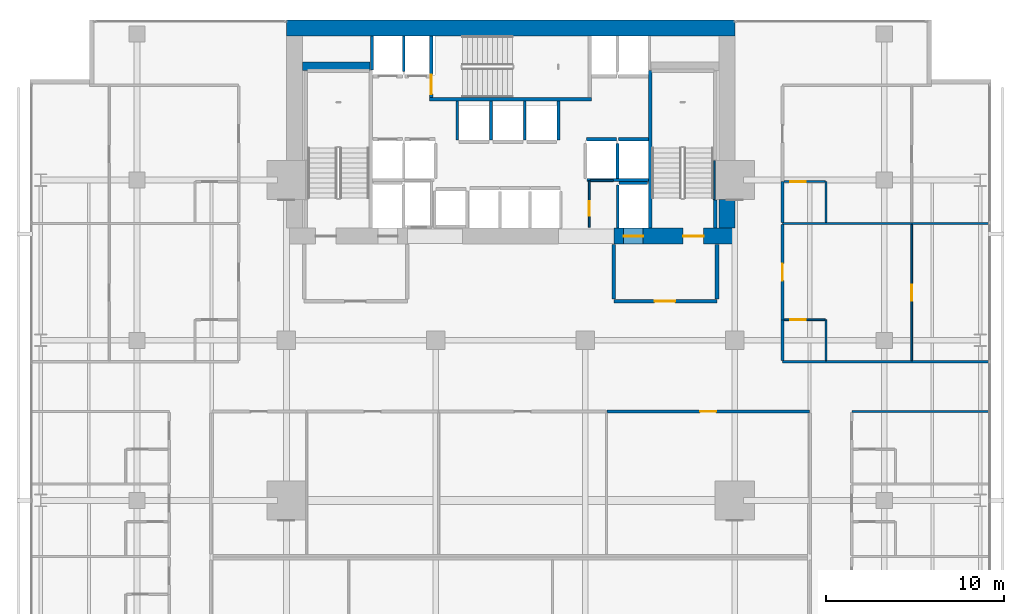
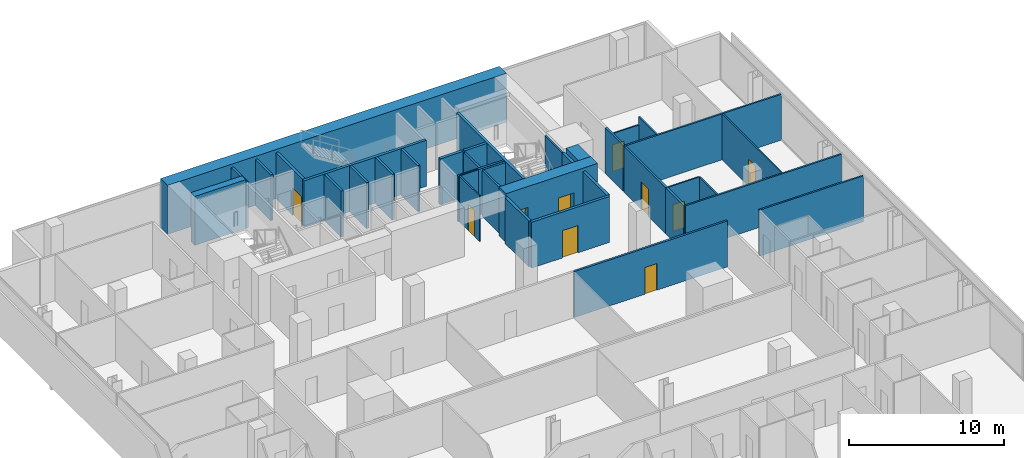
# One storey, part 37 of 40: 38 walls, 10 doors, 10 openings.
"""IFC4 building model written with IfcOpenShell, lengths in metres."""

from ifc_helpers import new_model, si_unit, direction, frame, frame_2d, origin, place, context, subcontext, project, spatial, rectangle, extrude, material, layer, layer_set, type_object, element, fill, save


model = new_model("IFC4")

# Units and contexts
model_context = context("Model", 3, precision=1e-05, world=origin(), true_north=direction((0.0, 1.0)))
body_context = subcontext(model_context, "Body", "Model", "MODEL_VIEW")
ifc_project = project(units=[si_unit("LENGTHUNIT", "METRE"), si_unit("AREAUNIT", "SQUARE_METRE"), si_unit("VOLUMEUNIT", "CUBIC_METRE"), si_unit("PLANEANGLEUNIT", "RADIAN"), si_unit("MASSUNIT", "GRAM", prefix="KILO")], contexts=[model_context])

# Site, building, storey
site_placement = place(None, origin())
site = spatial("IfcSite", under=ifc_project, at=site_placement, CompositionType="ELEMENT")
building_placement = place(site_placement, origin())
building = spatial("IfcBuilding", under=site, at=building_placement, Name="Maruvema Waterfront Hotel and Observation Tower", CompositionType="ELEMENT")
storey_placement = place(building_placement, frame((0.0, 0.0, 57.75)))
storey = spatial("IfcBuildingStorey", under=building, at=storey_placement, Name="L13", CompositionType="ELEMENT", Elevation=57.75)

# Wall, opening, door
ifc_material_1 = material(Name="Twin-stud acoustic gypsum drywall", Category="gypsum")
ifc_layer_1 = layer(ifc_material_1, 0.14990234375, Name="Acoustic Corridor and Suite Demising Wall 150 mm")
ifc_layer_set_1 = layer_set([ifc_layer_1], Name="Twin-stud acoustic gypsum drywall")
wall_type_1 = type_object("IfcWallType", Name="Acoustic Corridor and Suite Demising Wall 150 mm", PredefinedType="PARTITIONING", material=ifc_layer_set_1)
wall_1_placement = place(storey_placement, frame((43.221923828125, 32.0, 0.0), z_axis=(0.0, 0.0, 1.0), x_axis=(1.0, 0.0, 0.0)))
wall_1 = element("IfcWall", 1, at=wall_1_placement, inside=storey, type_object=wall_type_1, Name="L13 L13-INTN Front 4 021", PredefinedType="PARTITIONING", context=body_context, shape_type="SweptSolid", body=[
    extrude(rectangle(XDim=11.3681640625, YDim=0.14990234375, at=frame_2d((5.68408203125, 0.0))), origin(), (0.0, 0.0, 1.0), 3.610107421875),
])
opening_1_placement = place(wall_1_placement, frame((5.23388671875, 0.0, 0.0)))
opening_1 = element("IfcOpeningElement", 2, at=opening_1_placement, cuts=wall_1, Name="Opening DR-090", PredefinedType="OPENING", context=body_context, shape_type="SweptSolid", body=[
    extrude(rectangle(XDim=0.89990234375, YDim=2.10009765625, at=frame_2d((0.449951171875, 1.050048828125))), frame((0.0, 0.0849609375, 0.0), z_axis=(0.0, -1.0, 0.0), x_axis=(1.0, 0.0, 0.0)), (0.0, 0.0, 1.0), 0.169921875),
])
ifc_material_2 = material(Name="Solid-core lacquered timber leaf", Category="wood")
door_type_1 = type_object("IfcDoorType", Name="Accessible Toilet and Room Door 900x2100 mm", OperationType="NOTDEFINED", PredefinedType="DOOR", material=ifc_material_2)
door_1_placement = place(opening_1_placement, origin())
door_1 = element("IfcDoor", 3, at=door_1_placement, inside=storey, type_object=door_type_1, Name="L13 Tea Kitchenette Door", OperationType="SINGLE_SWING_RIGHT", OverallHeight=2.10009765625, OverallWidth=0.89990234375, PredefinedType="DOOR", context=body_context, shape_type="SweptSolid", body=[
    extrude(rectangle(XDim=0.89990234375, YDim=2.10009765625, at=frame_2d((0.449951171875, 1.050048828125))), frame((0.0, 0.02490234375, 0.0), z_axis=(0.0, -1.0, 0.0), x_axis=(1.0, 0.0, 0.0)), (0.0, 0.0, 1.0), 0.050048828125),
])
fill(opening_1, door_1)

# Wall
wall_2_placement = place(storey_placement, frame((53.080078125, 34.860107421875, 0.0), z_axis=(0.0, 0.0, 1.0), x_axis=(0.0, 1.0, 0.0)))
element("IfcWall", 4, at=wall_2_placement, inside=storey, type_object=wall_type_1, Name="L13 Bath L13-NE1 Wall 123", PredefinedType="PARTITIONING", context=body_context, shape_type="SweptSolid", body=[
    extrude(rectangle(XDim=2.289794921875, YDim=0.14990234375, at=frame_2d((1.14501953125, 0.0))), origin(), (0.0, 0.0, 1.0), 3.610107421875),
])

# Wall, opening, door
wall_3_placement = place(storey_placement, frame((53.080078125, 37.14990234375, 0.0), z_axis=(0.0, 0.0, 1.0), x_axis=(0.0, 1.0, 0.0)))
wall_3 = element("IfcWall", 5, at=wall_3_placement, inside=storey, type_object=wall_type_1, Name="L13 Room L13-NE1 Corridor Wall 124", PredefinedType="PARTITIONING", context=body_context, shape_type="SweptSolid", body=[
    extrude(rectangle(XDim=5.35888671875, YDim=0.14990234375, at=frame_2d((2.679443359375, 0.0))), origin(), (0.0, 0.0, 1.0), 3.610107421875),
])
opening_2_placement = place(wall_3_placement, frame((2.204345703125, 0.0, 0.0)))
opening_2 = element("IfcOpeningElement", 6, at=opening_2_placement, cuts=wall_3, Name="Opening DR-095", PredefinedType="OPENING", context=body_context, shape_type="SweptSolid", body=[
    extrude(rectangle(XDim=0.949951171875, YDim=2.14990234375, at=frame_2d((0.47509765625, 1.074951171875))), frame((0.0, 0.0849609375, 0.0), z_axis=(0.0, -1.0, 0.0), x_axis=(1.0, 0.0, 0.0)), (0.0, 0.0, 1.0), 0.169921875),
])
ifc_material_3 = material(Name="Acoustic solid-core hardwood timber leaf", Category="wood")
door_type_2 = type_object("IfcDoorType", Name="Guestroom Entrance Fire Door 950x2150 mm", OperationType="NOTDEFINED", PredefinedType="DOOR", material=ifc_material_3)
door_2_placement = place(opening_2_placement, frame((0.949951171875, 0.0, 0.0), z_axis=(0.0, 0.0, 1.0), x_axis=(-1.0, 0.0, 0.0)))
door_2 = element("IfcDoor", 7, at=door_2_placement, inside=storey, type_object=door_type_2, Name="L13 Room L13-NE1 Entrance Door", OperationType="SINGLE_SWING_RIGHT", OverallHeight=2.14990234375, OverallWidth=0.949951171875, PredefinedType="DOOR", context=body_context, shape_type="SweptSolid", body=[
    extrude(rectangle(XDim=0.949951171875, YDim=2.14990234375, at=frame_2d((0.47509765625, 1.074951171875))), frame((0.0, 0.02490234375, 0.0), z_axis=(0.0, -1.0, 0.0), x_axis=(1.0, 0.0, 0.0)), (0.0, 0.0, 1.0), 0.050048828125),
])
fill(opening_2, door_2)

# Walls
wall_4_placement = place(storey_placement, frame((53.080078125, 42.628662109375, 0.0), z_axis=(0.0, 0.0, 1.0), x_axis=(0.0, 1.0, 0.0)))
element("IfcWall", 8, at=wall_4_placement, inside=storey, type_object=wall_type_1, Name="L13 Bath L13-NE2 Wall 135", PredefinedType="PARTITIONING", context=body_context, shape_type="SweptSolid", body=[
    extrude(rectangle(XDim=2.2900390625, YDim=0.14990234375, at=frame_2d((1.14501953125, 0.0))), origin(), (0.0, 0.0, 1.0), 3.610107421875),
])
ifc_material_4 = material(Name="Precast concrete C45/55", Category="concrete")
ifc_layer_2 = layer(ifc_material_4, 0.199951171875, Name="Core Shaft and Stairwell Enclosure Wall 200 mm")
ifc_layer_set_2 = layer_set([ifc_layer_2], Name="Precast concrete C45/55")
wall_type_2 = type_object("IfcWallType", Name="Core Shaft and Stairwell Enclosure Wall 200 mm", PredefinedType="SOLIDWALL", material=ifc_layer_set_2)
wall_5_placement = place(storey_placement, frame((33.25, 49.550048828125, 0.0), z_axis=(0.0, 0.0, 1.0), x_axis=(1.0, 0.0, 0.0)))
element("IfcWall", 9, at=wall_5_placement, inside=storey, type_object=wall_type_2, Name="L13 Stairwell ST-02 Shaft Wall", PredefinedType="SOLIDWALL", context=body_context, shape_type="SweptSolid", body=[
    extrude(rectangle(XDim=9.10009765625, YDim=0.199951171875, at=frame_2d((4.550048828125, 0.0))), origin(), (0.0, 0.0, 1.0), 3.610107421875),
])

# Wall, opening, door
wall_6_placement = place(storey_placement, frame((33.35009765625, 49.64990234375, 0.0), z_axis=(0.0, 0.0, 1.0), x_axis=(0.0, 1.0, 0.0)))
wall_6 = element("IfcWall", 10, at=wall_6_placement, inside=storey, type_object=wall_type_2, Name="L13 Stairwell ST-02 Shaft Wall", PredefinedType="SOLIDWALL", context=body_context, shape_type="SweptSolid", body=[
    extrude(rectangle(XDim=3.4501953125, YDim=0.199951171875, at=frame_2d((1.72509765625, 0.0))), origin(), (0.0, 0.0, 1.0), 3.610107421875),
])
opening_3_placement = place(wall_6_placement, frame((0.179931640625, 0.0, 0.0)))
opening_3 = element("IfcOpeningElement", 11, at=opening_3_placement, cuts=wall_6, Name="Opening SD-02", PredefinedType="OPENING", context=body_context, shape_type="SweptSolid", body=[
    extrude(rectangle(XDim=1.10009765625, YDim=2.14990234375, at=frame_2d((0.550048828125, 1.074951171875))), frame((0.0, 0.10986328125, 0.0), z_axis=(0.0, -1.0, 0.0), x_axis=(1.0, 0.0, 0.0)), (0.0, 0.0, 1.0), 0.219970703125),
])
ifc_material_5 = material(Name="Fire-rated galvanised steel leaf", Category="steel")
door_type_3 = type_object("IfcDoorType", Name="Central Exit Stair Fire Door 1100x2150 mm", OperationType="NOTDEFINED", PredefinedType="DOOR", material=ifc_material_5)
door_3_placement = place(opening_3_placement, frame((1.10009765625, 0.0, 0.0), z_axis=(0.0, 0.0, 1.0), x_axis=(-1.0, 0.0, 0.0)))
door_3 = element("IfcDoor", 12, at=door_3_placement, inside=storey, type_object=door_type_3, Name="L13 Exit Stair ST-02 Fire Door", OperationType="SINGLE_SWING_LEFT", OverallHeight=2.14990234375, OverallWidth=1.10009765625, PredefinedType="DOOR", context=body_context, shape_type="SweptSolid", body=[
    extrude(rectangle(XDim=1.10009765625, YDim=2.14990234375, at=frame_2d((0.550048828125, 1.074951171875))), frame((0.0, 0.02490234375, 0.0), z_axis=(0.0, -1.0, 0.0), x_axis=(1.0, 0.0, 0.0)), (0.0, 0.0, 1.0), 0.050048828125),
])
fill(opening_3, door_3)

# Walls
wall_7_placement = place(storey_placement, frame((45.64990234375, 42.300048828125, 0.0), z_axis=(0.0, 0.0, 1.0), x_axis=(0.0, 1.0, 0.0)))
element("IfcWall", 13, at=wall_7_placement, inside=storey, type_object=wall_type_2, Name="L13 Stairwell ST-03 West Shaft Wall", PredefinedType="SOLIDWALL", context=body_context, shape_type="SweptSolid", body=[
    extrude(rectangle(XDim=8.849853515625, YDim=0.199951171875, at=frame_2d((4.4248046875, 0.0))), origin(), (0.0, 0.0, 1.0), 3.610107421875),
])
wall_8_placement = place(storey_placement, frame((49.300048828125, 42.300048828125, 0.0), z_axis=(0.0, 0.0, 1.0), x_axis=(0.0, 1.0, 0.0)))
element("IfcWall", 14, at=wall_8_placement, inside=storey, type_object=wall_type_2, Name="L13 Stairwell ST-03 Shaft Lining Wall", PredefinedType="SOLIDWALL", context=body_context, shape_type="SweptSolid", body=[
    extrude(rectangle(XDim=1.579833984375, YDim=0.199951171875, at=frame_2d((0.7900390625, 0.0))), origin(), (0.0, 0.0, 1.0), 3.610107421875),
])
for number, where, z_axis, x_axis, name in (
    (15, (42.06005859375, 47.300048828125, 0.0), (0.0, 0.0, 1.0), (1.0, 0.0, 0.0), "L13 Lift LF-05 Hoistway Front Wall"),
    (16, (43.860107421875, 47.300048828125, 0.0), (0.0, 0.0, 1.0), (1.0, 0.0, 0.0), "L13 Lift LF-06 Hoistway Front Wall"),
):
    element("IfcWall", number, at=place(storey_placement, frame(where, z_axis=z_axis, x_axis=x_axis)), inside=storey, type_object=wall_type_2, Name=name, PredefinedType="SOLIDWALL", context=body_context, shape_type="SweptSolid", body=[
        extrude(rectangle(XDim=1.679931640625, YDim=0.199951171875, at=frame_2d((0.83984375, 0.0))), origin(), (0.0, 0.0, 1.0), 3.610107421875),
    ])
ifc_material_6 = material(Name="Concrete C70/85", Category="concrete")
ifc_layer_3 = layer(ifc_material_6, 0.5, Name="Core Shear Wall 500 mm")
ifc_layer_set_3 = layer_set([ifc_layer_3], Name="Concrete C70/85")
wall_type_3 = type_object("IfcWallType", Name="Core Shear Wall 500 mm", PredefinedType="SHEAR", material=ifc_layer_set_3)
wall_9_placement = place(storey_placement, frame((26.10009765625, 51.39990234375, 0.0), z_axis=(0.0, 0.0, 1.0), x_axis=(1.0, 0.0, 0.0)))
element("IfcWall", 17, at=wall_9_placement, inside=storey, type_object=wall_type_3, Name="L13 Internal Core Shear Wall NW 500 mm", PredefinedType="SHEAR", context=body_context, shape_type="SweptSolid", body=[
    extrude(rectangle(XDim=3.7998046875, YDim=0.5, at=frame_2d((1.89990234375, 0.0))), origin(), (0.0, 0.0, 1.0), 3.85009765625),
])
ifc_material_7 = material(Name="Concrete C80/95", Category="concrete")
ifc_layer_4 = layer(ifc_material_7, 0.89990234375, Name="Core Shear Wall 900 mm")
ifc_layer_set_4 = layer_set([ifc_layer_4], Name="Concrete C80/95")
wall_type_4 = type_object("IfcWallType", Name="Core Shear Wall 900 mm", PredefinedType="SHEAR", material=ifc_layer_set_4)
wall_10_placement = place(storey_placement, frame((25.199951171875, 53.550048828125, 0.0), z_axis=(0.0, 0.0, 1.0), x_axis=(1.0, 0.0, 0.0)))
element("IfcWall", 18, at=wall_10_placement, inside=storey, type_object=wall_type_4, Name="L13 North Core Shear Wall", PredefinedType="SHEAR", context=body_context, shape_type="SweptSolid", body=[
    extrude(rectangle(XDim=25.199951171875, YDim=0.89990234375, at=frame_2d((12.60009765625, 0.0))), origin(), (0.0, 0.0, 1.0), 3.85009765625),
])

# Wall, openings, doors
wall_11_placement = place(storey_placement, frame((43.60009765625, 41.85009765625, 0.0), z_axis=(0.0, 0.0, 1.0), x_axis=(1.0, 0.0, 0.0)))
wall_11 = element("IfcWall", 19, at=wall_11_placement, inside=storey, type_object=wall_type_4, Name="L13 South-East Core Shear Wall", PredefinedType="SHEAR", context=body_context, shape_type="SweptSolid", body=[
    extrude(rectangle(XDim=6.7998046875, YDim=0.89990234375, at=frame_2d((3.39990234375, 0.0))), origin(), (0.0, 0.0, 1.0), 3.85009765625),
])
opening_4_placement = place(wall_11_placement, frame((3.89990234375, 0.0, 0.0)))
opening_4 = element("IfcOpeningElement", 20, at=opening_4_placement, cuts=wall_11, Name="Opening SD-01", PredefinedType="OPENING", context=body_context, shape_type="SweptSolid", body=[
    extrude(rectangle(XDim=1.14990234375, YDim=2.14990234375, at=frame_2d((0.574951171875, 1.074951171875))), frame((0.0, 0.4599609375, 0.0), z_axis=(0.0, -1.0, 0.0), x_axis=(1.0, 0.0, 0.0)), (0.0, 0.0, 1.0), 0.919921875),
])
opening_5_placement = place(wall_11_placement, frame((0.550048828125, 0.0, 0.0)))
opening_5 = element("IfcOpeningElement", 21, at=opening_5_placement, cuts=wall_11, Name="Opening LD-03", PredefinedType="OPENING", context=body_context, shape_type="SweptSolid", body=[
    extrude(rectangle(XDim=1.10009765625, YDim=2.199951171875, at=frame_2d((0.550048828125, 1.10009765625))), frame((0.0, 0.4599609375, 0.0), z_axis=(0.0, -1.0, 0.0), x_axis=(1.0, 0.0, 0.0)), (0.0, 0.0, 1.0), 0.919921875),
])
ifc_material_8 = material(Name="Fire-rated galvanised steel leaf", Category="steel")
door_type_4 = type_object("IfcDoorType", Name="Exit Stair Fire Door 1150x2150 mm", OperationType="NOTDEFINED", PredefinedType="DOOR", material=ifc_material_8)
door_4_placement = place(opening_4_placement, origin())
door_4 = element("IfcDoor", 22, at=door_4_placement, inside=storey, type_object=door_type_4, Name="L13 Exit Stair ST-03 Fire Door", OperationType="SINGLE_SWING_RIGHT", OverallHeight=2.14990234375, OverallWidth=1.14990234375, PredefinedType="DOOR", context=body_context, shape_type="SweptSolid", body=[
    extrude(rectangle(XDim=1.14990234375, YDim=2.14990234375, at=frame_2d((0.574951171875, 1.074951171875))), frame((0.0, 0.02490234375, 0.0), z_axis=(0.0, -1.0, 0.0), x_axis=(1.0, 0.0, 0.0)), (0.0, 0.0, 1.0), 0.050048828125),
])
fill(opening_4, door_4)
ifc_material_9 = material(Name="Brushed stainless steel Grade 316", Category="steel")
door_type_5 = type_object("IfcDoorType", Name="Firefighting Lift Sliding Landing Door 1100x2200 mm", OperationType="SLIDING_TO_LEFT", PredefinedType="DOOR", material=ifc_material_9)
door_5_placement = place(opening_5_placement, frame((1.10009765625, 0.0, 0.0), z_axis=(0.0, 0.0, 1.0), x_axis=(-1.0, 0.0, 0.0)))
door_5 = element("IfcDoor", 23, at=door_5_placement, inside=storey, type_object=door_type_5, Name="L13 Firefighting Lift FL-02 Landing Door", OperationType="SLIDING_TO_LEFT", OverallHeight=2.199951171875, OverallWidth=1.10009765625, PredefinedType="DOOR", context=body_context, shape_type="SweptSolid", body=[
    extrude(rectangle(XDim=1.10009765625, YDim=2.199951171875, at=frame_2d((0.550048828125, 1.10009765625))), frame((0.0, 0.02490234375, 0.0), z_axis=(0.0, -1.0, 0.0), x_axis=(1.0, 0.0, 0.0)), (0.0, 0.0, 1.0), 0.050048828125),
])
fill(opening_5, door_5)

# Wall
wall_12_placement = place(storey_placement, frame((49.949951171875, 42.300048828125, 0.0), z_axis=(0.0, 0.0, 1.0), x_axis=(0.0, 1.0, 0.0)))
element("IfcWall", 24, at=wall_12_placement, inside=storey, type_object=wall_type_4, Name="L13 East-South Core Shear Wall", PredefinedType="SHEAR", context=body_context, shape_type="SweptSolid", body=[
    extrude(rectangle(XDim=1.599853515625, YDim=0.89990234375, at=frame_2d((0.7998046875, 0.0))), origin(), (0.0, 0.0, 1.0), 3.85009765625),
])

# Wall, opening, door
ifc_material_10 = material(Name="Moisture-resistant cement-board drywall", Category="gypsum")
ifc_layer_5 = layer(ifc_material_10, 0.10009765625, Name="En-Suite Moisture-Resistant Partition 100 mm")
ifc_layer_set_5 = layer_set([ifc_layer_5], Name="Moisture-resistant cement-board drywall")
wall_type_5 = type_object("IfcWallType", Name="En-Suite Moisture-Resistant Partition 100 mm", PredefinedType="PARTITIONING", material=ifc_layer_set_5)
wall_13_placement = place(storey_placement, frame((42.219970703125, 42.35009765625, 0.0), z_axis=(0.0, 0.0, 1.0), x_axis=(0.0, 1.0, 0.0)))
wall_13 = element("IfcWall", 25, at=wall_13_placement, inside=storey, type_object=wall_type_5, Name="L13 Core Closet K1 West 010", PredefinedType="PARTITIONING", context=body_context, shape_type="SweptSolid", body=[
    extrude(rectangle(XDim=2.60986328125, YDim=0.10009765625, at=frame_2d((1.304931640625, 0.0))), origin(), (0.0, 0.0, 1.0), 3.610107421875),
])
opening_6_placement = place(wall_13_placement, frame((0.64990234375, 0.0, 0.0)))
opening_6 = element("IfcOpeningElement", 26, at=opening_6_placement, cuts=wall_13, Name="Opening DR-080", PredefinedType="OPENING", context=body_context, shape_type="SweptSolid", body=[
    extrude(rectangle(XDim=0.800048828125, YDim=2.050048828125, at=frame_2d((0.39990234375, 1.02490234375))), frame((0.0, 0.06005859375, 0.0), z_axis=(0.0, -1.0, 0.0), x_axis=(1.0, 0.0, 0.0)), (0.0, 0.0, 1.0), 0.1201171875),
])
ifc_material_11 = material(Name="Powder-coated steel access leaf", Category="steel")
door_type_6 = type_object("IfcDoorType", Name="Riser and Service Cupboard Door 800x2050 mm", OperationType="NOTDEFINED", PredefinedType="DOOR", material=ifc_material_11)
door_6_placement = place(opening_6_placement, frame((0.800048828125, 0.0, 0.0), z_axis=(0.0, 0.0, 1.0), x_axis=(-1.0, 0.0, 0.0)))
door_6 = element("IfcDoor", 27, at=door_6_placement, inside=storey, type_object=door_type_6, Name="L13 Core Cleaning Store Door", OperationType="SINGLE_SWING_RIGHT", OverallHeight=2.050048828125, OverallWidth=0.800048828125, PredefinedType="DOOR", context=body_context, shape_type="SweptSolid", body=[
    extrude(rectangle(XDim=0.800048828125, YDim=2.050048828125, at=frame_2d((0.39990234375, 1.02490234375))), frame((0.0, 0.02490234375, 0.0), z_axis=(0.0, -1.0, 0.0), x_axis=(1.0, 0.0, 0.0)), (0.0, 0.0, 1.0), 0.050048828125),
])
fill(opening_6, door_6)

# Walls
wall_14_placement = place(storey_placement, frame((42.280029296875, 44.9599609375, 0.0), z_axis=(0.0, 0.0, 1.0), x_axis=(1.0, 0.0, 0.0)))
element("IfcWall", 28, at=wall_14_placement, inside=storey, type_object=wall_type_5, Name="L13 Core Closet K1 North 011", PredefinedType="PARTITIONING", context=body_context, shape_type="SweptSolid", body=[
    extrude(rectangle(XDim=1.300048828125, YDim=0.10009765625, at=frame_2d((0.64990234375, 0.0))), origin(), (0.0, 0.0, 1.0), 3.610107421875),
])
wall_15_placement = place(storey_placement, frame((55.530029296875, 34.860107421875, 0.0), z_axis=(0.0, 0.0, 1.0), x_axis=(0.0, 1.0, 0.0)))
element("IfcWall", 29, at=wall_15_placement, inside=storey, type_object=wall_type_5, Name="L13 En-Suite L13-NE1 E 125", PredefinedType="PARTITIONING", context=body_context, shape_type="SweptSolid", body=[
    extrude(rectangle(XDim=2.289794921875, YDim=0.10009765625, at=frame_2d((1.14501953125, 0.0))), origin(), (0.0, 0.0, 1.0), 3.610107421875),
])

# Wall, opening, door
wall_16_placement = place(storey_placement, frame((53.179931640625, 37.14990234375, 0.0), z_axis=(0.0, 0.0, 1.0), x_axis=(1.0, 0.0, 0.0)))
wall_16 = element("IfcWall", 30, at=wall_16_placement, inside=storey, type_object=wall_type_5, Name="L13 En-Suite L13-NE1 N 126", PredefinedType="PARTITIONING", context=body_context, shape_type="SweptSolid", body=[
    extrude(rectangle(XDim=2.300048828125, YDim=0.10009765625, at=frame_2d((1.14990234375, 0.0))), origin(), (0.0, 0.0, 1.0), 3.610107421875),
])
opening_7_placement = place(wall_16_placement, frame((0.35009765625, 0.0, 0.0)))
opening_7 = element("IfcOpeningElement", 31, at=opening_7_placement, cuts=wall_16, Name="Opening DR-085", PredefinedType="OPENING", context=body_context, shape_type="SweptSolid", body=[
    extrude(rectangle(XDim=0.85009765625, YDim=2.10009765625, at=frame_2d((0.425048828125, 1.050048828125))), frame((0.0, 0.06005859375, 0.0), z_axis=(0.0, -1.0, 0.0), x_axis=(1.0, 0.0, 0.0)), (0.0, 0.0, 1.0), 0.1201171875),
])
ifc_material_12 = material(Name="Moisture-resistant solid timber leaf", Category="wood")
door_type_7 = type_object("IfcDoorType", Name="En-Suite Bathroom Door 850x2100 mm", OperationType="NOTDEFINED", PredefinedType="DOOR", material=ifc_material_12)
door_7_placement = place(opening_7_placement, origin())
door_7 = element("IfcDoor", 32, at=door_7_placement, inside=storey, type_object=door_type_7, Name="L13 En-Suite L13-NE1 Door", OperationType="SINGLE_SWING_LEFT", OverallHeight=2.10009765625, OverallWidth=0.85009765625, PredefinedType="DOOR", context=body_context, shape_type="SweptSolid", body=[
    extrude(rectangle(XDim=0.85009765625, YDim=2.10009765625, at=frame_2d((0.425048828125, 1.050048828125))), frame((0.0, 0.02490234375, 0.0), z_axis=(0.0, -1.0, 0.0), x_axis=(1.0, 0.0, 0.0)), (0.0, 0.0, 1.0), 0.050048828125),
])
fill(opening_7, door_7)

wall_17_placement = place(storey_placement, frame((60.350341796875, 34.860107421875, 0.0), z_axis=(0.0, 0.0, 1.0), x_axis=(0.0, 1.0, 0.0)))
wall_17 = element("IfcWall", 33, at=wall_17_placement, inside=storey, type_object=wall_type_5, Name="L13 Suite L13-NE1 Split 127", PredefinedType="PARTITIONING", context=body_context, shape_type="SweptSolid", body=[
    extrude(rectangle(XDim=7.648681640625, YDim=0.10009765625, at=frame_2d((3.82421875, 0.0))), origin(), (0.0, 0.0, 1.0), 3.610107421875),
])
opening_8_placement = place(wall_17_placement, frame((3.374267578125, 0.0, 0.0)))
opening_8 = element("IfcOpeningElement", 34, at=opening_8_placement, cuts=wall_17, Name="Opening DR-090", PredefinedType="OPENING", context=body_context, shape_type="SweptSolid", body=[
    extrude(rectangle(XDim=0.89990234375, YDim=2.10009765625, at=frame_2d((0.449951171875, 1.050048828125))), frame((0.0, 0.06005859375, 0.0), z_axis=(0.0, -1.0, 0.0), x_axis=(1.0, 0.0, 0.0)), (0.0, 0.0, 1.0), 0.1201171875),
])
door_8_placement = place(opening_8_placement, frame((0.89990234375, 0.0, 0.0), z_axis=(0.0, 0.0, 1.0), x_axis=(-1.0, 0.0, 0.0)))
door_8 = element("IfcDoor", 35, at=door_8_placement, inside=storey, type_object=door_type_1, Name="L13 Suite L13-NE1 Bedroom Door", OperationType="SINGLE_SWING_LEFT", OverallHeight=2.10009765625, OverallWidth=0.89990234375, PredefinedType="DOOR", context=body_context, shape_type="SweptSolid", body=[
    extrude(rectangle(XDim=0.89990234375, YDim=2.10009765625, at=frame_2d((0.449951171875, 1.050048828125))), frame((0.0, 0.02490234375, 0.0), z_axis=(0.0, -1.0, 0.0), x_axis=(1.0, 0.0, 0.0)), (0.0, 0.0, 1.0), 0.050048828125),
])
fill(opening_8, door_8)

# Wall
wall_18_placement = place(storey_placement, frame((55.530029296875, 42.628662109375, 0.0), z_axis=(0.0, 0.0, 1.0), x_axis=(0.0, 1.0, 0.0)))
element("IfcWall", 36, at=wall_18_placement, inside=storey, type_object=wall_type_5, Name="L13 En-Suite L13-NE2 E 137", PredefinedType="PARTITIONING", context=body_context, shape_type="SweptSolid", body=[
    extrude(rectangle(XDim=2.2900390625, YDim=0.10009765625, at=frame_2d((1.14501953125, 0.0))), origin(), (0.0, 0.0, 1.0), 3.610107421875),
])

# Wall, opening, door
wall_19_placement = place(storey_placement, frame((53.179931640625, 44.918701171875, 0.0), z_axis=(0.0, 0.0, 1.0), x_axis=(1.0, 0.0, 0.0)))
wall_19 = element("IfcWall", 37, at=wall_19_placement, inside=storey, type_object=wall_type_5, Name="L13 En-Suite L13-NE2 N 138", PredefinedType="PARTITIONING", context=body_context, shape_type="SweptSolid", body=[
    extrude(rectangle(XDim=2.300048828125, YDim=0.10009765625, at=frame_2d((1.14990234375, 0.0))), origin(), (0.0, 0.0, 1.0), 2.988037109375),
])
opening_9_placement = place(wall_19_placement, frame((0.35009765625, 0.0, 0.0)))
opening_9 = element("IfcOpeningElement", 38, at=opening_9_placement, cuts=wall_19, Name="Opening DR-085", PredefinedType="OPENING", context=body_context, shape_type="SweptSolid", body=[
    extrude(rectangle(XDim=0.85009765625, YDim=2.10009765625, at=frame_2d((0.425048828125, 1.050048828125))), frame((0.0, 0.06005859375, 0.0), z_axis=(0.0, -1.0, 0.0), x_axis=(1.0, 0.0, 0.0)), (0.0, 0.0, 1.0), 0.1201171875),
])
door_9_placement = place(opening_9_placement, origin())
door_9 = element("IfcDoor", 39, at=door_9_placement, inside=storey, type_object=door_type_7, Name="L13 En-Suite L13-NE2 Door", OperationType="SINGLE_SWING_LEFT", OverallHeight=2.10009765625, OverallWidth=0.85009765625, PredefinedType="DOOR", context=body_context, shape_type="SweptSolid", body=[
    extrude(rectangle(XDim=0.85009765625, YDim=2.10009765625, at=frame_2d((0.425048828125, 1.050048828125))), frame((0.0, 0.02490234375, 0.0), z_axis=(0.0, -1.0, 0.0), x_axis=(1.0, 0.0, 0.0)), (0.0, 0.0, 1.0), 0.050048828125),
])
fill(opening_9, door_9)

ifc_material_13 = material(Name="Autoclaved cellular concrete blockwork", Category="masonry")
ifc_layer_6 = layer(ifc_material_13, 0.199951171875, Name="Fire Compartment Masonry Wall 200 mm")
ifc_layer_set_6 = layer_set([ifc_layer_6], Name="Autoclaved cellular concrete blockwork")
wall_type_6 = type_object("IfcWallType", Name="Fire Compartment Masonry Wall 200 mm", PredefinedType="PARTITIONING", material=ifc_layer_set_6)
wall_20_placement = place(storey_placement, frame((43.60009765625, 38.199951171875, 0.0), z_axis=(0.0, 0.0, 1.0), x_axis=(1.0, 0.0, 0.0)))
wall_20 = element("IfcWall", 40, at=wall_20_placement, inside=storey, type_object=wall_type_6, Name="L13 FFL East South Wall 004", PredefinedType="PARTITIONING", context=body_context, shape_type="SweptSolid", body=[
    extrude(rectangle(XDim=5.7998046875, YDim=0.199951171875, at=frame_2d((2.89990234375, 0.0))), origin(), (0.0, 0.0, 1.0), 3.610107421875),
])
opening_10_placement = place(wall_20_placement, frame((2.300048828125, 0.0, 0.0)))
opening_10 = element("IfcOpeningElement", 41, at=opening_10_placement, cuts=wall_20, Name="Opening FD-115", PredefinedType="OPENING", context=body_context, shape_type="SweptSolid", body=[
    extrude(rectangle(XDim=1.14990234375, YDim=2.14990234375, at=frame_2d((0.574951171875, 1.074951171875))), frame((0.0, 0.10986328125, 0.0), z_axis=(0.0, -1.0, 0.0), x_axis=(1.0, 0.0, 0.0)), (0.0, 0.0, 1.0), 0.219970703125),
])
ifc_material_14 = material(Name="Fire-rated galvanised steel and vision glass", Category="steel")
door_type_8 = type_object("IfcDoorType", Name="Firefighting Lobby Fire Door 1150x2150 mm", OperationType="NOTDEFINED", PredefinedType="DOOR", material=ifc_material_14)
door_10_placement = place(opening_10_placement, frame((1.14990234375, 0.0, 0.0), z_axis=(0.0, 0.0, 1.0), x_axis=(-1.0, 0.0, 0.0)))
door_10 = element("IfcDoor", 42, at=door_10_placement, inside=storey, type_object=door_type_8, Name="L13 Firefighting Lobby East Door", OperationType="SINGLE_SWING_RIGHT", OverallHeight=2.14990234375, OverallWidth=1.14990234375, PredefinedType="DOOR", context=body_context, shape_type="SweptSolid", body=[
    extrude(rectangle(XDim=1.14990234375, YDim=2.14990234375, at=frame_2d((0.574951171875, 1.074951171875))), frame((0.0, 0.02490234375, 0.0), z_axis=(0.0, -1.0, 0.0), x_axis=(1.0, 0.0, 0.0)), (0.0, 0.0, 1.0), 0.050048828125),
])
fill(opening_10, door_10)

# Walls
for number, where, z_axis, x_axis, name in (
    (43, (43.60009765625, 38.31005859375, 0.0), (0.0, 0.0, 1.0), (0.0, 1.0, 0.0), "L13 FFL East West Wall 005"),
    (44, (49.39990234375, 38.31005859375, 0.0), (0.0, 0.0, 1.0), (0.0, 1.0, 0.0), "L13 FFL East East Wall 006"),
):
    element("IfcWall", number, at=place(storey_placement, frame(where, z_axis=z_axis, x_axis=x_axis)), inside=storey, type_object=wall_type_6, Name=name, PredefinedType="PARTITIONING", context=body_context, shape_type="SweptSolid", body=[
        extrude(rectangle(XDim=3.06982421875, YDim=0.199951171875, at=frame_2d((1.534912109375, 0.0))), origin(), (0.0, 0.0, 1.0), 3.610107421875),
    ])
ifc_material_15 = material(Name="Acoustic gypsum plasterboard drywall", Category="gypsum")
ifc_layer_7 = layer(ifc_material_15, 0.125, Name="Guestroom Acoustic Demising Wall 125 mm")
ifc_layer_set_7 = layer_set([ifc_layer_7], Name="Acoustic gypsum plasterboard drywall")
wall_type_7 = type_object("IfcWallType", Name="Guestroom Acoustic Demising Wall 125 mm", PredefinedType="PARTITIONING", material=ifc_layer_set_7)
wall_21_placement = place(storey_placement, frame((56.97998046875, 32.0, 0.0), z_axis=(0.0, 0.0, 1.0), x_axis=(1.0, 0.0, 0.0)))
element("IfcWall", 45, at=wall_21_placement, inside=storey, type_object=wall_type_7, Name="L13 E Top End 075", PredefinedType="PARTITIONING", context=body_context, shape_type="SweptSolid", body=[
    extrude(rectangle(XDim=7.719970703125, YDim=0.125, at=frame_2d((3.85986328125, 0.0))), origin(), (0.0, 0.0, 1.0), 3.610107421875),
])
for number, where, z_axis, x_axis, name in (
    (46, (53.080078125, 34.800048828125, 0.0), (0.0, 0.0, 1.0), (1.0, 0.0, 0.0), "L13 NE Bot End 115"),
    (47, (53.080078125, 42.568603515625, 0.0), (0.0, 0.0, 1.0), (1.0, 0.0, 0.0), "L13 NE Demising 2 129"),
):
    element("IfcWall", number, at=place(storey_placement, frame(where, z_axis=z_axis, x_axis=x_axis)), inside=storey, type_object=wall_type_7, Name=name, PredefinedType="PARTITIONING", context=body_context, shape_type="SweptSolid", body=[
        extrude(rectangle(XDim=11.619873046875, YDim=0.125, at=frame_2d((5.81005859375, 0.0))), origin(), (0.0, 0.0, 1.0), 3.610107421875),
    ])
ifc_material_16 = material(Name="Precast concrete C45/55", Category="concrete")
ifc_layer_8 = layer(ifc_material_16, 0.159912109375, Name="Lift Hoistway Divider Wall 160 mm")
ifc_layer_set_8 = layer_set([ifc_layer_8], Name="Precast concrete C45/55")
wall_type_8 = type_object("IfcWallType", Name="Lift Hoistway Divider Wall 160 mm", PredefinedType="SOLIDWALL", material=ifc_layer_set_8)
wall_22_placement = place(storey_placement, frame((43.89990234375, 44.830078125, 0.0), z_axis=(0.0, 0.0, 1.0), x_axis=(1.0, 0.0, 0.0)))
element("IfcWall", 48, at=wall_22_placement, inside=storey, type_object=wall_type_8, Name="L13 Lift FL-02 Rear Hoistway Wall", PredefinedType="SOLIDWALL", context=body_context, shape_type="SweptSolid", body=[
    extrude(rectangle(XDim=1.60009765625, YDim=0.159912109375, at=frame_2d((0.800048828125, 0.0))), origin(), (0.0, 0.0, 1.0), 3.610107421875),
])
wall_23_placement = place(storey_placement, frame((43.820068359375, 42.300048828125, 0.0), z_axis=(0.0, 0.0, 1.0), x_axis=(0.0, 1.0, 0.0)))
element("IfcWall", 49, at=wall_23_placement, inside=storey, type_object=wall_type_8, Name="L13 Lift FL-02 Inner Hoistway Wall", PredefinedType="SOLIDWALL", context=body_context, shape_type="SweptSolid", body=[
    extrude(rectangle(XDim=2.43994140625, YDim=0.159912109375, at=frame_2d((1.219970703125, 0.0))), origin(), (0.0, 0.0, 1.0), 3.610107421875),
])
wall_24_placement = place(storey_placement, frame((30.010009765625, 51.179931640625, 0.0), z_axis=(0.0, 0.0, 1.0), x_axis=(0.0, 1.0, 0.0)))
element("IfcWall", 50, at=wall_24_placement, inside=storey, type_object=wall_type_8, Name="L13 Hoistway Divider Wall", PredefinedType="SOLIDWALL", context=body_context, shape_type="SweptSolid", body=[
    extrude(rectangle(XDim=1.920166015625, YDim=0.159912109375, at=frame_2d((0.9599609375, 0.0))), origin(), (0.0, 0.0, 1.0), 3.610107421875),
])
wall_25_placement = place(storey_placement, frame((31.800048828125, 51.10009765625, 0.0), z_axis=(0.0, 0.0, 1.0), x_axis=(0.0, 1.0, 0.0)))
element("IfcWall", 51, at=wall_25_placement, inside=storey, type_object=wall_type_8, Name="L13 Hoistway Divider Wall", PredefinedType="SOLIDWALL", context=body_context, shape_type="SweptSolid", body=[
    extrude(rectangle(XDim=2.0, YDim=0.159912109375, at=frame_2d((1.0, 0.0))), origin(), (0.0, 0.0, 1.0), 3.610107421875),
])
wall_26_placement = place(storey_placement, frame((43.800048828125, 45.10009765625, 0.0), z_axis=(0.0, 0.0, 1.0), x_axis=(0.0, 1.0, 0.0)))
element("IfcWall", 52, at=wall_26_placement, inside=storey, type_object=wall_type_8, Name="L13 Hoistway Divider Wall", PredefinedType="SOLIDWALL", context=body_context, shape_type="SweptSolid", body=[
    extrude(rectangle(XDim=1.949951171875, YDim=0.159912109375, at=frame_2d((0.97509765625, 0.0))), origin(), (0.0, 0.0, 1.0), 3.610107421875),
])
wall_27_placement = place(storey_placement, frame((42.10009765625, 45.010009765625, 0.0), z_axis=(0.0, 0.0, 1.0), x_axis=(1.0, 0.0, 0.0)))
element("IfcWall", 53, at=wall_27_placement, inside=storey, type_object=wall_type_8, Name="L13 Hoistway Divider Wall", PredefinedType="SOLIDWALL", context=body_context, shape_type="SweptSolid", body=[
    extrude(rectangle(XDim=3.449951171875, YDim=0.159912109375, at=frame_2d((1.72509765625, 0.0))), origin(), (0.0, 0.0, 1.0), 3.610107421875),
])
for number, where, z_axis, x_axis, name in (
    (54, (34.800048828125, 47.25, 0.0), (0.0, 0.0, 1.0), (0.0, 1.0, 0.0), "L13 Hoistway Divider Wall"),
    (55, (36.699951171875, 47.25, 0.0), (0.0, 0.0, 1.0), (0.0, 1.0, 0.0), "L13 Hoistway Divider Wall"),
    (56, (38.60009765625, 47.25, 0.0), (0.0, 0.0, 1.0), (0.0, 1.0, 0.0), "L13 Hoistway Divider Wall"),
    (57, (40.5, 47.25, 0.0), (0.0, 0.0, 1.0), (0.0, 1.0, 0.0), "L13 Hoistway Divider Wall"),
):
    element("IfcWall", number, at=place(storey_placement, frame(where, z_axis=z_axis, x_axis=x_axis)), inside=storey, type_object=wall_type_8, Name=name, PredefinedType="SOLIDWALL", context=body_context, shape_type="SweptSolid", body=[
        extrude(rectangle(XDim=2.18994140625, YDim=0.159912109375, at=frame_2d((1.094970703125, 0.0))), origin(), (0.0, 0.0, 1.0), 3.610107421875),
    ])
ifc_material_17 = material(Name="Precast concrete C45/55", Category="concrete")
ifc_layer_9 = layer(ifc_material_17, 0.10009765625, Name="Stairwell Stringer Cheek Wall 100 mm")
ifc_layer_set_9 = layer_set([ifc_layer_9], Name="Precast concrete C45/55")
wall_type_9 = type_object("IfcWallType", Name="Stairwell Stringer Cheek Wall 100 mm", PredefinedType="SOLIDWALL", material=ifc_layer_set_9)
wall_28_placement = place(storey_placement, frame((49.248046875, 43.89990234375, 0.0), z_axis=(0.0, 0.0, 1.0), x_axis=(0.0, 1.0, 0.0)))
element("IfcWall", 58, at=wall_28_placement, inside=storey, type_object=wall_type_9, Name="L13 Stairwell ST-03 Mega-Column Cheek Wall", PredefinedType="SOLIDWALL", context=body_context, shape_type="SweptSolid", body=[
    extrude(rectangle(XDim=2.2001953125, YDim=0.10009765625, at=frame_2d((1.10009765625, 0.0))), origin(), (0.0, 0.0, 1.0), 3.610107421875),
])

save(model, "model.ifc")
